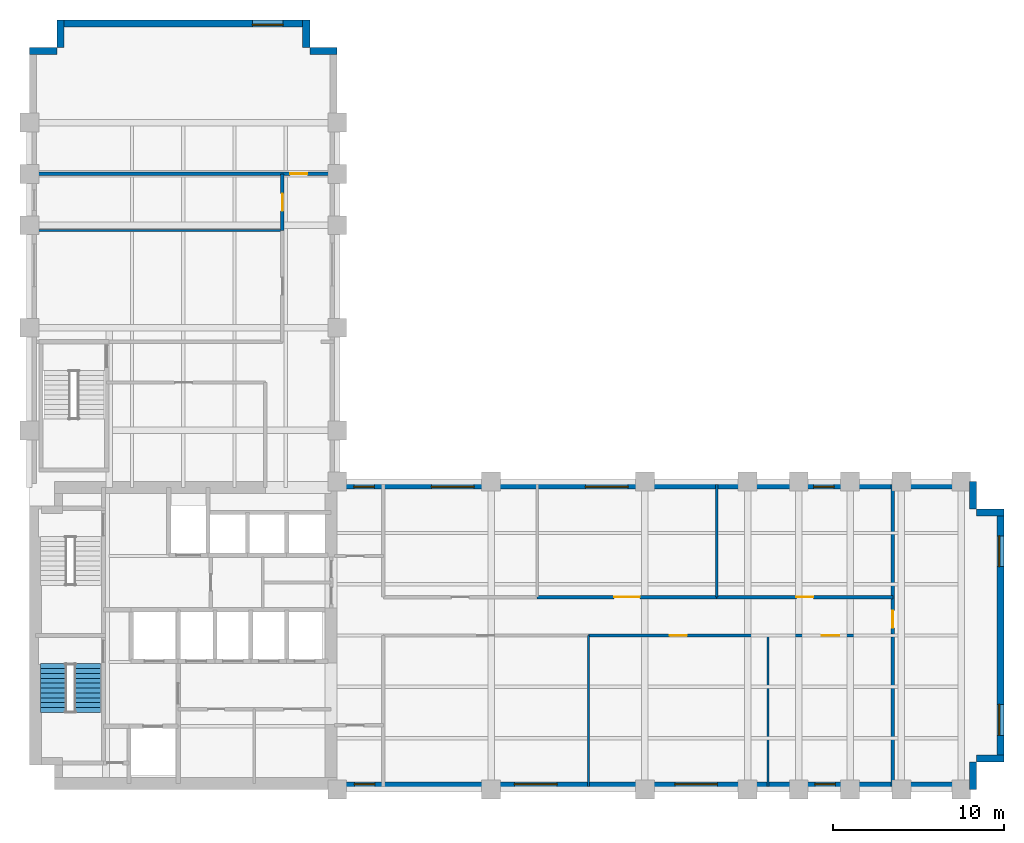
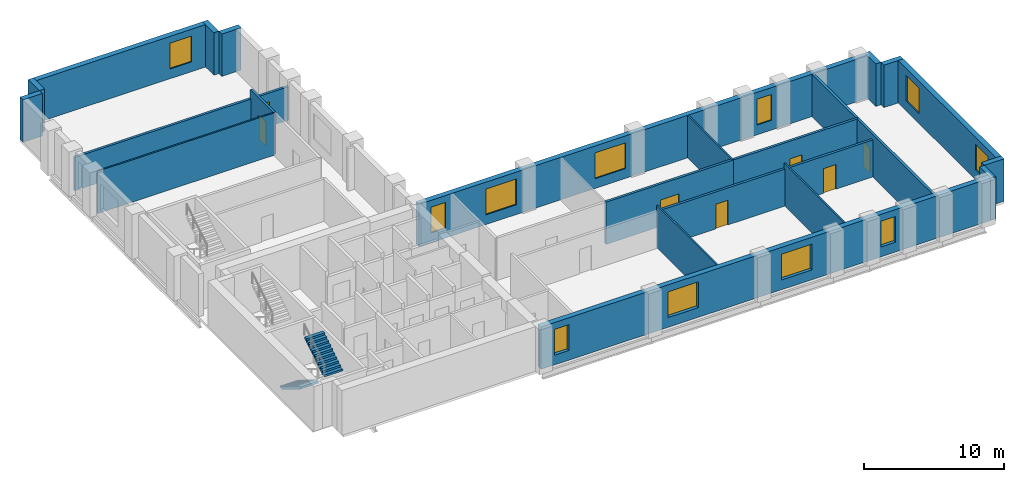
# One storey, part 5 of 7: 23 walls, 11 windows, 7 doors, 2 stair flights, 18 openings, 1 element without a shape of its own.
"""IFC4 building model written with IfcOpenShell, lengths in metres."""

from ifc_helpers import new_model, si_unit, direction, frame, frame_2d, origin, place, context, subcontext, project, spatial, polyline, rectangle, outline, extrude, material, layer, layer_set, type_object, element, fill, aggregate, save


model = new_model("IFC4")

# Units and contexts
model_context = context("Model", 3, precision=1e-05, world=origin(), true_north=direction((0.0, 1.0)))
body_context = subcontext(model_context, "Body", "Model", "MODEL_VIEW")
ifc_project = project(units=[si_unit("LENGTHUNIT", "METRE"), si_unit("AREAUNIT", "SQUARE_METRE"), si_unit("VOLUMEUNIT", "CUBIC_METRE"), si_unit("PLANEANGLEUNIT", "RADIAN"), si_unit("MASSUNIT", "GRAM", prefix="KILO")], contexts=[model_context])

# Site, building, storey
site_placement = place(None, origin())
site = spatial("IfcSite", under=ifc_project, at=site_placement, CompositionType="ELEMENT")
building_placement = place(site_placement, origin())
building = spatial("IfcBuilding", under=site, at=building_placement, Name="Mawjdan Bourse Tower", CompositionType="ELEMENT")
storey_placement = place(building_placement, frame((0.0, 0.0, 108.89990234375)))
storey = spatial("IfcBuildingStorey", under=building, at=storey_placement, Name="L25", CompositionType="ELEMENT", Elevation=108.89990234375)

# Wall, openings, windows
ifc_material_1 = material(Name="Brick Masonry Buff", Category="masonry")
ifc_layer_1 = layer(ifc_material_1, 0.419921875)
ifc_layer_set_1 = layer_set([ifc_layer_1], Name="Brick Masonry Buff")
wall_type_1 = type_object("IfcWallType", Name="WL-BRK-BUFF-420", PredefinedType="STANDARD", material=ifc_layer_set_1)
wall_1_placement = place(storey_placement, frame((23.89990234375, 3.2099609375, 0.0), z_axis=(0.0, 0.0, 1.0), x_axis=(1.0, 0.0, 0.0)))
wall_1 = element("IfcWall", 1, at=wall_1_placement, inside=storey, type_object=wall_type_1, Name="L25 Exterior Brick Wall 1", PredefinedType="STANDARD", context=body_context, shape_type="SweptSolid", body=[
    extrude(rectangle(XDim=37.5, YDim=0.419921875, at=frame_2d((18.75, 0.0))), origin(), (0.0, 0.0, 1.0), 3.7001953125),
])
opening_1_placement = place(wall_1_placement, frame((10.46875, 0.0, 0.85009765625)))
opening_1 = element("IfcOpeningElement", 2, at=opening_1_placement, cuts=wall_1, Name="Opening W-L25-01", PredefinedType="OPENING", context=body_context, shape_type="SweptSolid", body=[
    extrude(rectangle(XDim=2.5, YDim=2.25, at=frame_2d((1.25, 1.125))), frame((0.0, 0.219970703125, 0.0), z_axis=(0.0, -1.0, 0.0), x_axis=(1.0, 0.0, 0.0)), (0.0, 0.0, 1.0), 0.43994140625),
])
opening_2_placement = place(wall_1_placement, frame((19.84375, 0.0, 0.85009765625)))
opening_2 = element("IfcOpeningElement", 3, at=opening_2_placement, cuts=wall_1, Name="Opening W-L25-02", PredefinedType="OPENING", context=body_context, shape_type="SweptSolid", body=[
    extrude(rectangle(XDim=2.5, YDim=2.25, at=frame_2d((1.25, 1.125))), frame((0.0, 0.219970703125, 0.0), z_axis=(0.0, -1.0, 0.0), x_axis=(1.0, 0.0, 0.0)), (0.0, 0.0, 1.0), 0.43994140625),
])
opening_3_placement = place(wall_1_placement, frame((1.10009765625, 0.0, 0.85009765625)))
opening_3 = element("IfcOpeningElement", 4, at=opening_3_placement, cuts=wall_1, Name="Opening W-L25-08", PredefinedType="OPENING", context=body_context, shape_type="SweptSolid", body=[
    extrude(rectangle(XDim=1.199951171875, YDim=2.25, at=frame_2d((0.60009765625, 1.125))), frame((0.0, 0.219970703125, 0.0), z_axis=(0.0, -1.0, 0.0), x_axis=(1.0, 0.0, 0.0)), (0.0, 0.0, 1.0), 0.43994140625),
])
opening_4_placement = place(wall_1_placement, frame((28.0361328125, 0.0, 0.85009765625)))
opening_4 = element("IfcOpeningElement", 5, at=opening_4_placement, cuts=wall_1, Name="Opening W-L25-10", PredefinedType="OPENING", context=body_context, shape_type="SweptSolid", body=[
    extrude(rectangle(XDim=1.199951171875, YDim=2.25, at=frame_2d((0.60009765625, 1.125))), frame((0.0, 0.219970703125, 0.0), z_axis=(0.0, -1.0, 0.0), x_axis=(1.0, 0.0, 0.0)), (0.0, 0.0, 1.0), 0.43994140625),
])
ifc_material_2 = material(Name="Solar-Control Clear Double Glazing", Category="glass")
window_type_1 = type_object("IfcWindowType", Name="WN-Z2-1200", PartitioningType="SINGLE_PANEL", PredefinedType="WINDOW", material=ifc_material_2)
window_1_placement = place(opening_3_placement, origin())
window_1 = element("IfcWindow", 6, at=window_1_placement, inside=storey, type_object=window_type_1, Name="L25 Deep-Set Masonry Window W-L25-08", OverallHeight=2.25, OverallWidth=1.199951171875, PartitioningType="SINGLE_PANEL", PredefinedType="WINDOW", context=body_context, shape_type="SweptSolid", body=[
    extrude(rectangle(XDim=1.199951171875, YDim=2.25, at=frame_2d((0.60009765625, 1.125))), frame((0.0, 0.110107421875, 0.0), z_axis=(0.0, -1.0, 0.0), x_axis=(1.0, 0.0, 0.0)), (0.0, 0.0, 1.0), 0.06005859375),
])
fill(opening_3, window_1)
window_2_placement = place(opening_4_placement, origin())
window_2 = element("IfcWindow", 7, at=window_2_placement, inside=storey, type_object=window_type_1, Name="L25 Deep-Set Masonry Window W-L25-10", OverallHeight=2.25, OverallWidth=1.199951171875, PartitioningType="SINGLE_PANEL", PredefinedType="WINDOW", context=body_context, shape_type="SweptSolid", body=[
    extrude(rectangle(XDim=1.199951171875, YDim=2.25, at=frame_2d((0.60009765625, 1.125))), frame((0.0, 0.110107421875, 0.0), z_axis=(0.0, -1.0, 0.0), x_axis=(1.0, 0.0, 0.0)), (0.0, 0.0, 1.0), 0.06005859375),
])
fill(opening_4, window_2)
window_type_2 = type_object("IfcWindowType", Name="WN-Z2-2500", PartitioningType="SINGLE_PANEL", PredefinedType="WINDOW", material=ifc_material_2)
window_3_placement = place(opening_1_placement, origin())
window_3 = element("IfcWindow", 8, at=window_3_placement, inside=storey, type_object=window_type_2, Name="L25 Deep-Set Masonry Window W-L25-01", OverallHeight=2.25, OverallWidth=2.5, PartitioningType="SINGLE_PANEL", PredefinedType="WINDOW", context=body_context, shape_type="SweptSolid", body=[
    extrude(rectangle(XDim=2.5, YDim=2.25, at=frame_2d((1.25, 1.125))), frame((0.0, 0.110107421875, 0.0), z_axis=(0.0, -1.0, 0.0), x_axis=(1.0, 0.0, 0.0)), (0.0, 0.0, 1.0), 0.06005859375),
])
fill(opening_1, window_3)
window_4_placement = place(opening_2_placement, origin())
window_4 = element("IfcWindow", 9, at=window_4_placement, inside=storey, type_object=window_type_2, Name="L25 Deep-Set Masonry Window W-L25-02", OverallHeight=2.25, OverallWidth=2.5, PartitioningType="SINGLE_PANEL", PredefinedType="WINDOW", context=body_context, shape_type="SweptSolid", body=[
    extrude(rectangle(XDim=2.5, YDim=2.25, at=frame_2d((1.25, 1.125))), frame((0.0, 0.110107421875, 0.0), z_axis=(0.0, -1.0, 0.0), x_axis=(1.0, 0.0, 0.0)), (0.0, 0.0, 1.0), 0.06005859375),
])
fill(opening_2, window_4)

# Walls
for number, where, z_axis, x_axis, name in (
    (10, (61.18994140625, 3.0, 0.0), (0.0, 0.0, 1.0), (0.0, 1.0, 0.0), "L25 Exterior Brick Wall 2"),
    (11, (61.39990234375, 4.81005859375, 0.0), (0.0, 0.0, 1.0), (1.0, 0.0, 0.0), "L25 Exterior Brick Wall 3"),
):
    element("IfcWall", number, at=place(storey_placement, frame(where, z_axis=z_axis, x_axis=x_axis)), inside=storey, type_object=wall_type_1, Name=name, PredefinedType="STANDARD", context=body_context, shape_type="SweptSolid", body=[
        extrude(rectangle(XDim=1.60009765625, YDim=0.419921875, at=frame_2d((0.800048828125, 0.0))), origin(), (0.0, 0.0, 1.0), 3.7001953125),
    ])

# Wall, openings, windows
wall_2_placement = place(storey_placement, frame((62.7900390625, 4.60009765625, 0.0), z_axis=(0.0, 0.0, 1.0), x_axis=(0.0, 1.0, 0.0)))
wall_2 = element("IfcWall", 12, at=wall_2_placement, inside=storey, type_object=wall_type_1, Name="L25 Exterior Brick Wall 4", PredefinedType="STANDARD", context=body_context, shape_type="SweptSolid", body=[
    extrude(rectangle(XDim=14.7998046875, YDim=0.419921875, at=frame_2d((7.39990234375, 0.0))), origin(), (0.0, 0.0, 1.0), 3.7001953125),
])
opening_5_placement = place(wall_2_placement, frame((1.566650390625, 0.0, 0.85009765625)))
opening_5 = element("IfcOpeningElement", 13, at=opening_5_placement, cuts=wall_2, Name="Opening W-L25-03", PredefinedType="OPENING", context=body_context, shape_type="SweptSolid", body=[
    extrude(rectangle(XDim=1.800048828125, YDim=2.25, at=frame_2d((0.89990234375, 1.125))), frame((0.0, 0.219970703125, 0.0), z_axis=(0.0, -1.0, 0.0), x_axis=(1.0, 0.0, 0.0)), (0.0, 0.0, 1.0), 0.43994140625),
])
opening_6_placement = place(wall_2_placement, frame((11.433349609375, 0.0, 0.85009765625)))
opening_6 = element("IfcOpeningElement", 14, at=opening_6_placement, cuts=wall_2, Name="Opening W-L25-04", PredefinedType="OPENING", context=body_context, shape_type="SweptSolid", body=[
    extrude(rectangle(XDim=1.800048828125, YDim=2.25, at=frame_2d((0.89990234375, 1.125))), frame((0.0, 0.219970703125, 0.0), z_axis=(0.0, -1.0, 0.0), x_axis=(1.0, 0.0, 0.0)), (0.0, 0.0, 1.0), 0.43994140625),
])
window_type_3 = type_object("IfcWindowType", Name="WN-Z2-1800", PartitioningType="SINGLE_PANEL", PredefinedType="WINDOW", material=ifc_material_2)
window_5_placement = place(opening_5_placement, origin())
window_5 = element("IfcWindow", 15, at=window_5_placement, inside=storey, type_object=window_type_3, Name="L25 Deep-Set Masonry Window W-L25-03", OverallHeight=2.25, OverallWidth=1.800048828125, PartitioningType="SINGLE_PANEL", PredefinedType="WINDOW", context=body_context, shape_type="SweptSolid", body=[
    extrude(rectangle(XDim=1.800048828125, YDim=2.25, at=frame_2d((0.89990234375, 1.125))), frame((0.0, 0.110107421875, 0.0), z_axis=(0.0, -1.0, 0.0), x_axis=(1.0, 0.0, 0.0)), (0.0, 0.0, 1.0), 0.06005859375),
])
fill(opening_5, window_5)
window_6_placement = place(opening_6_placement, origin())
window_6 = element("IfcWindow", 16, at=window_6_placement, inside=storey, type_object=window_type_3, Name="L25 Deep-Set Masonry Window W-L25-04", OverallHeight=2.25, OverallWidth=1.800048828125, PartitioningType="SINGLE_PANEL", PredefinedType="WINDOW", context=body_context, shape_type="SweptSolid", body=[
    extrude(rectangle(XDim=1.800048828125, YDim=2.25, at=frame_2d((0.89990234375, 1.125))), frame((0.0, 0.110107421875, 0.0), z_axis=(0.0, -1.0, 0.0), x_axis=(1.0, 0.0, 0.0)), (0.0, 0.0, 1.0), 0.06005859375),
])
fill(opening_6, window_6)

# Walls
for number, where, z_axis, x_axis, name in (
    (17, (63.0, 19.18994140625, 0.0), (0.0, 0.0, 1.0), (-1.0, 0.0, 0.0), "L25 Exterior Brick Wall 5"),
    (18, (61.18994140625, 19.39990234375, 0.0), (0.0, 0.0, 1.0), (0.0, 1.0, 0.0), "L25 Exterior Brick Wall 6"),
):
    element("IfcWall", number, at=place(storey_placement, frame(where, z_axis=z_axis, x_axis=x_axis)), inside=storey, type_object=wall_type_1, Name=name, PredefinedType="STANDARD", context=body_context, shape_type="SweptSolid", body=[
        extrude(rectangle(XDim=1.60009765625, YDim=0.419921875, at=frame_2d((0.800048828125, 0.0))), origin(), (0.0, 0.0, 1.0), 3.7001953125),
    ])

# Wall, openings, windows
wall_3_placement = place(storey_placement, frame((61.39990234375, 20.7900390625, 0.0), z_axis=(0.0, 0.0, 1.0), x_axis=(-1.0, 0.0, 0.0)))
wall_3 = element("IfcWall", 19, at=wall_3_placement, inside=storey, type_object=wall_type_1, Name="L25 Exterior Brick Wall 7", PredefinedType="STANDARD", context=body_context, shape_type="SweptSolid", body=[
    extrude(rectangle(XDim=37.39990234375, YDim=0.419921875, at=frame_2d((18.699951171875, 0.0))), origin(), (0.0, 0.0, 1.0), 3.7001953125),
])
opening_7_placement = place(wall_3_placement, frame((35.22216796875, 0.0, 0.85009765625)))
opening_7 = element("IfcOpeningElement", 20, at=opening_7_placement, cuts=wall_3, Name="Opening W-L25-09", PredefinedType="OPENING", context=body_context, shape_type="SweptSolid", body=[
    extrude(rectangle(XDim=1.199951171875, YDim=2.25, at=frame_2d((0.60009765625, 1.125))), frame((0.0, 0.219970703125, 0.0), z_axis=(0.0, -1.0, 0.0), x_axis=(1.0, 0.0, 0.0)), (0.0, 0.0, 1.0), 0.43994140625),
])
opening_8_placement = place(wall_3_placement, frame((29.38623046875, 0.0, 0.85009765625)))
opening_8 = element("IfcOpeningElement", 21, at=opening_8_placement, cuts=wall_3, Name="Opening W-L25-11", PredefinedType="OPENING", context=body_context, shape_type="SweptSolid", body=[
    extrude(rectangle(XDim=2.5, YDim=2.25, at=frame_2d((1.25, 1.125))), frame((0.0, 0.219970703125, 0.0), z_axis=(0.0, -1.0, 0.0), x_axis=(1.0, 0.0, 0.0)), (0.0, 0.0, 1.0), 0.43994140625),
])
opening_9_placement = place(wall_3_placement, frame((20.38623046875, 0.0, 0.85009765625)))
opening_9 = element("IfcOpeningElement", 22, at=opening_9_placement, cuts=wall_3, Name="Opening W-L25-12", PredefinedType="OPENING", context=body_context, shape_type="SweptSolid", body=[
    extrude(rectangle(XDim=2.5, YDim=2.25, at=frame_2d((1.25, 1.125))), frame((0.0, 0.219970703125, 0.0), z_axis=(0.0, -1.0, 0.0), x_axis=(1.0, 0.0, 0.0)), (0.0, 0.0, 1.0), 0.43994140625),
])
opening_10_placement = place(wall_3_placement, frame((8.336181640625, 0.0, 0.85009765625)))
opening_10 = element("IfcOpeningElement", 23, at=opening_10_placement, cuts=wall_3, Name="Opening W-L25-13", PredefinedType="OPENING", context=body_context, shape_type="SweptSolid", body=[
    extrude(rectangle(XDim=1.199951171875, YDim=2.25, at=frame_2d((0.60009765625, 1.125))), frame((0.0, 0.219970703125, 0.0), z_axis=(0.0, -1.0, 0.0), x_axis=(1.0, 0.0, 0.0)), (0.0, 0.0, 1.0), 0.43994140625),
])
window_7_placement = place(opening_7_placement, origin())
window_7 = element("IfcWindow", 24, at=window_7_placement, inside=storey, type_object=window_type_1, Name="L25 Deep-Set Masonry Window W-L25-09", OverallHeight=2.25, OverallWidth=1.199951171875, PartitioningType="SINGLE_PANEL", PredefinedType="WINDOW", context=body_context, shape_type="SweptSolid", body=[
    extrude(rectangle(XDim=1.199951171875, YDim=2.25, at=frame_2d((0.60009765625, 1.125))), frame((0.0, 0.110107421875, 0.0), z_axis=(0.0, -1.0, 0.0), x_axis=(1.0, 0.0, 0.0)), (0.0, 0.0, 1.0), 0.06005859375),
])
fill(opening_7, window_7)
window_8_placement = place(opening_10_placement, origin())
window_8 = element("IfcWindow", 25, at=window_8_placement, inside=storey, type_object=window_type_1, Name="L25 Deep-Set Masonry Window W-L25-13", OverallHeight=2.25, OverallWidth=1.199951171875, PartitioningType="SINGLE_PANEL", PredefinedType="WINDOW", context=body_context, shape_type="SweptSolid", body=[
    extrude(rectangle(XDim=1.199951171875, YDim=2.25, at=frame_2d((0.60009765625, 1.125))), frame((0.0, 0.110107421875, 0.0), z_axis=(0.0, -1.0, 0.0), x_axis=(1.0, 0.0, 0.0)), (0.0, 0.0, 1.0), 0.06005859375),
])
fill(opening_10, window_8)
window_9_placement = place(opening_8_placement, origin())
window_9 = element("IfcWindow", 26, at=window_9_placement, inside=storey, type_object=window_type_2, Name="L25 Deep-Set Masonry Window W-L25-11", OverallHeight=2.25, OverallWidth=2.5, PartitioningType="SINGLE_PANEL", PredefinedType="WINDOW", context=body_context, shape_type="SweptSolid", body=[
    extrude(rectangle(XDim=2.5, YDim=2.25, at=frame_2d((1.25, 1.125))), frame((0.0, 0.110107421875, 0.0), z_axis=(0.0, -1.0, 0.0), x_axis=(1.0, 0.0, 0.0)), (0.0, 0.0, 1.0), 0.06005859375),
])
fill(opening_8, window_9)
window_10_placement = place(opening_9_placement, origin())
window_10 = element("IfcWindow", 27, at=window_10_placement, inside=storey, type_object=window_type_2, Name="L25 Deep-Set Masonry Window W-L25-12", OverallHeight=2.25, OverallWidth=2.5, PartitioningType="SINGLE_PANEL", PredefinedType="WINDOW", context=body_context, shape_type="SweptSolid", body=[
    extrude(rectangle(XDim=2.5, YDim=2.25, at=frame_2d((1.25, 1.125))), frame((0.0, 0.110107421875, 0.0), z_axis=(0.0, -1.0, 0.0), x_axis=(1.0, 0.0, 0.0)), (0.0, 0.0, 1.0), 0.06005859375),
])
fill(opening_9, window_10)

# Walls
for number, where, z_axis, x_axis, name in (
    (28, (24.0, 46.18994140625, 0.0), (0.0, 0.0, 1.0), (-1.0, 0.0, 0.0), "L25 Exterior Brick Wall 9"),
    (29, (22.18994140625, 46.39990234375, 0.0), (0.0, 0.0, 1.0), (0.0, 1.0, 0.0), "L25 Exterior Brick Wall 10"),
):
    element("IfcWall", number, at=place(storey_placement, frame(where, z_axis=z_axis, x_axis=x_axis)), inside=storey, type_object=wall_type_1, Name=name, PredefinedType="STANDARD", context=body_context, shape_type="SweptSolid", body=[
        extrude(rectangle(XDim=1.60009765625, YDim=0.419921875, at=frame_2d((0.800048828125, 0.0))), origin(), (0.0, 0.0, 1.0), 3.7001953125),
    ])

# Wall, opening, window
wall_4_placement = place(storey_placement, frame((22.39990234375, 47.7900390625, 0.0), z_axis=(0.0, 0.0, 1.0), x_axis=(-1.0, 0.0, 0.0)))
wall_4 = element("IfcWall", 30, at=wall_4_placement, inside=storey, type_object=wall_type_1, Name="L25 Exterior Brick Wall 11", PredefinedType="STANDARD", context=body_context, shape_type="SweptSolid", body=[
    extrude(rectangle(XDim=14.7998046875, YDim=0.419921875, at=frame_2d((7.39990234375, 0.0))), origin(), (0.0, 0.0, 1.0), 3.7001953125),
])
opening_11_placement = place(wall_4_placement, frame((1.566650390625, 0.0, 0.85009765625)))
opening_11 = element("IfcOpeningElement", 31, at=opening_11_placement, cuts=wall_4, Name="Opening W-L25-06", PredefinedType="OPENING", context=body_context, shape_type="SweptSolid", body=[
    extrude(rectangle(XDim=1.800048828125, YDim=2.25, at=frame_2d((0.89990234375, 1.125))), frame((0.0, 0.219970703125, 0.0), z_axis=(0.0, -1.0, 0.0), x_axis=(1.0, 0.0, 0.0)), (0.0, 0.0, 1.0), 0.43994140625),
])
window_11_placement = place(opening_11_placement, origin())
window_11 = element("IfcWindow", 32, at=window_11_placement, inside=storey, type_object=window_type_3, Name="L25 Deep-Set Masonry Window W-L25-06", OverallHeight=2.25, OverallWidth=1.800048828125, PartitioningType="SINGLE_PANEL", PredefinedType="WINDOW", context=body_context, shape_type="SweptSolid", body=[
    extrude(rectangle(XDim=1.800048828125, YDim=2.25, at=frame_2d((0.89990234375, 1.125))), frame((0.0, 0.110107421875, 0.0), z_axis=(0.0, -1.0, 0.0), x_axis=(1.0, 0.0, 0.0)), (0.0, 0.0, 1.0), 0.06005859375),
])
fill(opening_11, window_11)

# Walls
for number, where, z_axis, x_axis, name in (
    (33, (7.81005859375, 48.0, 0.0), (0.0, 0.0, 1.0), (0.0, -1.0, 0.0), "L25 Exterior Brick Wall 12"),
    (34, (7.60009765625, 46.18994140625, 0.0), (0.0, 0.0, 1.0), (-1.0, 0.0, 0.0), "L25 Exterior Brick Wall 13"),
):
    element("IfcWall", number, at=place(storey_placement, frame(where, z_axis=z_axis, x_axis=x_axis)), inside=storey, type_object=wall_type_1, Name=name, PredefinedType="STANDARD", context=body_context, shape_type="SweptSolid", body=[
        extrude(rectangle(XDim=1.60009765625, YDim=0.419921875, at=frame_2d((0.800048828125, 0.0))), origin(), (0.0, 0.0, 1.0), 3.7001953125),
    ])

# Wall, opening, door
ifc_material_3 = material(Name="Gypsum Fireboard Assembly")
ifc_layer_2 = layer(ifc_material_3, 0.199951171875)
ifc_layer_set_2 = layer_set([ifc_layer_2], Name="Gypsum Fireboard Assembly")
wall_type_2 = type_object("IfcWallType", Name="WL-CMP-200", PredefinedType="PARTITIONING", material=ifc_layer_set_2)
wall_5_placement = place(storey_placement, frame((38.699951171875, 12.0, 0.0), z_axis=(0.0, 0.0, 1.0), x_axis=(1.0, 0.0, 0.0)))
wall_5 = element("IfcWall", 35, at=wall_5_placement, inside=storey, type_object=wall_type_2, Name="L25 Corporate Finance Office Corridor Wall", PredefinedType="PARTITIONING", context=body_context, shape_type="SweptSolid", body=[
    extrude(rectangle(XDim=10.5, YDim=0.199951171875, at=frame_2d((5.25, 0.0))), origin(), (0.0, 0.0, 1.0), 3.22705078125),
])
opening_12_placement = place(wall_5_placement, frame((4.75, 0.0, 0.0)))
opening_12 = element("IfcOpeningElement", 36, at=opening_12_placement, cuts=wall_5, Name="Opening D-L25-23", PredefinedType="OPENING", context=body_context, shape_type="SweptSolid", body=[
    extrude(rectangle(XDim=1.0, YDim=2.14990234375, at=frame_2d((0.5, 1.074951171875))), frame((0.0, 0.10986328125, 0.0), z_axis=(0.0, -1.0, 0.0), x_axis=(1.0, 0.0, 0.0)), (0.0, 0.0, 1.0), 0.219970703125),
])
ifc_material_4 = material(Name="Hardwood Acoustic Leaf", Category="wood")
door_type_1 = type_object("IfcDoorType", Name="DR-OFC-1000", OperationType="NOTDEFINED", PredefinedType="DOOR", material=ifc_material_4)
door_1_placement = place(opening_12_placement, origin())
door_1 = element("IfcDoor", 37, at=door_1_placement, inside=storey, type_object=door_type_1, Name="L25 Corporate Finance Office Door D-L25-23", OperationType="SINGLE_SWING_LEFT", OverallHeight=2.14990234375, OverallWidth=1.0, PredefinedType="DOOR", context=body_context, shape_type="SweptSolid", body=[
    extrude(rectangle(XDim=1.0, YDim=2.14990234375, at=frame_2d((0.5, 1.074951171875))), frame((0.0, 0.02490234375, 0.0), z_axis=(0.0, -1.0, 0.0), x_axis=(1.0, 0.0, 0.0)), (0.0, 0.0, 1.0), 0.050048828125),
])
fill(opening_12, door_1)

wall_6_placement = place(storey_placement, frame((49.199951171875, 12.0, 0.0), z_axis=(0.0, 0.0, 1.0), x_axis=(1.0, 0.0, 0.0)))
wall_6 = element("IfcWall", 38, at=wall_6_placement, inside=storey, type_object=wall_type_2, Name="L25 Executive Office Corridor Wall", PredefinedType="PARTITIONING", context=body_context, shape_type="SweptSolid", body=[
    extrude(rectangle(XDim=7.300048828125, YDim=0.199951171875, at=frame_2d((3.64990234375, 0.0))), origin(), (0.0, 0.0, 1.0), 3.22705078125),
])
opening_13_placement = place(wall_6_placement, frame((3.14990234375, 0.0, 0.0)))
opening_13 = element("IfcOpeningElement", 39, at=opening_13_placement, cuts=wall_6, Name="Opening D-L25-24", PredefinedType="OPENING", context=body_context, shape_type="SweptSolid", body=[
    extrude(rectangle(XDim=1.0, YDim=2.14990234375, at=frame_2d((0.5, 1.074951171875))), frame((0.0, 0.10986328125, 0.0), z_axis=(0.0, -1.0, 0.0), x_axis=(1.0, 0.0, 0.0)), (0.0, 0.0, 1.0), 0.219970703125),
])
door_2_placement = place(opening_13_placement, origin())
door_2 = element("IfcDoor", 40, at=door_2_placement, inside=storey, type_object=door_type_1, Name="L25 Executive Office Door D-L25-24", OperationType="SINGLE_SWING_RIGHT", OverallHeight=2.14990234375, OverallWidth=1.0, PredefinedType="DOOR", context=body_context, shape_type="SweptSolid", body=[
    extrude(rectangle(XDim=1.0, YDim=2.14990234375, at=frame_2d((0.5, 1.074951171875))), frame((0.0, 0.02490234375, 0.0), z_axis=(0.0, -1.0, 0.0), x_axis=(1.0, 0.0, 0.0)), (0.0, 0.0, 1.0), 0.050048828125),
])
fill(opening_13, door_2)

wall_7_placement = place(storey_placement, frame((35.699951171875, 14.25, 0.0), z_axis=(0.0, 0.0, 1.0), x_axis=(1.0, 0.0, 0.0)))
wall_7 = element("IfcWall", 41, at=wall_7_placement, inside=storey, type_object=wall_type_2, Name="L25 Conference Room Corridor Wall", PredefinedType="PARTITIONING", context=body_context, shape_type="SweptSolid", body=[
    extrude(rectangle(XDim=10.5, YDim=0.199951171875, at=frame_2d((5.25, 0.0))), origin(), (0.0, 0.0, 1.0), 3.690185546875),
])
opening_14_placement = place(wall_7_placement, frame((4.5, 0.0, 0.0)))
opening_14 = element("IfcOpeningElement", 42, at=opening_14_placement, cuts=wall_7, Name="Opening D-L25-26", PredefinedType="OPENING", context=body_context, shape_type="SweptSolid", body=[
    extrude(rectangle(XDim=1.5, YDim=2.300048828125, at=frame_2d((0.75, 1.14990234375))), frame((0.0, 0.10986328125, 0.0), z_axis=(0.0, -1.0, 0.0), x_axis=(1.0, 0.0, 0.0)), (0.0, 0.0, 1.0), 0.219970703125),
])
ifc_material_5 = material(Name="Acoustic Glazed Timber", Category="wood")
door_type_2 = type_object("IfcDoorType", Name="DR-CNF-1500", OperationType="DOUBLE_DOOR_SINGLE_SWING", PredefinedType="DOOR", material=ifc_material_5)
door_3_placement = place(opening_14_placement, origin())
door_3 = element("IfcDoor", 43, at=door_3_placement, inside=storey, type_object=door_type_2, Name="L25 Conference Room Door D-L25-26", OperationType="DOUBLE_DOOR_SINGLE_SWING", OverallHeight=2.300048828125, OverallWidth=1.5, PredefinedType="DOOR", context=body_context, shape_type="SweptSolid", body=[
    extrude(rectangle(XDim=1.5, YDim=2.300048828125, at=frame_2d((0.75, 1.14990234375))), frame((0.0, 0.02490234375, 0.0), z_axis=(0.0, -1.0, 0.0), x_axis=(1.0, 0.0, 0.0)), (0.0, 0.0, 1.0), 0.050048828125),
])
fill(opening_14, door_3)

wall_8_placement = place(storey_placement, frame((46.199951171875, 14.25, 0.0), z_axis=(0.0, 0.0, 1.0), x_axis=(1.0, 0.0, 0.0)))
wall_8 = element("IfcWall", 44, at=wall_8_placement, inside=storey, type_object=wall_type_2, Name="L25 Legal Archive Library Corridor Wall", PredefinedType="PARTITIONING", context=body_context, shape_type="SweptSolid", body=[
    extrude(rectangle(XDim=10.300048828125, YDim=0.199951171875, at=frame_2d((5.14990234375, 0.0))), origin(), (0.0, 0.0, 1.0), 3.690185546875),
])
opening_15_placement = place(wall_8_placement, frame((4.64990234375, 0.0, 0.0)))
opening_15 = element("IfcOpeningElement", 45, at=opening_15_placement, cuts=wall_8, Name="Opening D-L25-27", PredefinedType="OPENING", context=body_context, shape_type="SweptSolid", body=[
    extrude(rectangle(XDim=1.0, YDim=2.14990234375, at=frame_2d((0.5, 1.074951171875))), frame((0.0, 0.10986328125, 0.0), z_axis=(0.0, -1.0, 0.0), x_axis=(1.0, 0.0, 0.0)), (0.0, 0.0, 1.0), 0.219970703125),
])
door_4_placement = place(opening_15_placement, origin())
door_4 = element("IfcDoor", 46, at=door_4_placement, inside=storey, type_object=door_type_1, Name="L25 Legal Archive Library Door D-L25-27", OperationType="SINGLE_SWING_RIGHT", OverallHeight=2.14990234375, OverallWidth=1.0, PredefinedType="DOOR", context=body_context, shape_type="SweptSolid", body=[
    extrude(rectangle(XDim=1.0, YDim=2.14990234375, at=frame_2d((0.5, 1.074951171875))), frame((0.0, 0.02490234375, 0.0), z_axis=(0.0, -1.0, 0.0), x_axis=(1.0, 0.0, 0.0)), (0.0, 0.0, 1.0), 0.050048828125),
])
fill(opening_15, door_4)

wall_9_placement = place(storey_placement, frame((56.5, 3.179931640625, 0.0), z_axis=(0.0, 0.0, 1.0), x_axis=(0.0, 1.0, 0.0)))
wall_9 = element("IfcWall", 47, at=wall_9_placement, inside=storey, type_object=wall_type_2, Name="L25 East Tip Full Cross Wall", PredefinedType="PARTITIONING", context=body_context, shape_type="SweptSolid", body=[
    extrude(rectangle(XDim=17.64013671875, YDim=0.199951171875, at=frame_2d((8.820068359375, 0.0))), origin(), (0.0, 0.0, 1.0), 3.690185546875),
])
opening_16_placement = place(wall_9_placement, frame((9.27490234375, 0.0, 0.0)))
opening_16 = element("IfcOpeningElement", 48, at=opening_16_placement, cuts=wall_9, Name="Opening D-L25-28", PredefinedType="OPENING", context=body_context, shape_type="SweptSolid", body=[
    extrude(rectangle(XDim=1.0, YDim=2.14990234375, at=frame_2d((0.5, 1.074951171875))), frame((0.0, 0.10986328125, 0.0), z_axis=(0.0, -1.0, 0.0), x_axis=(1.0, 0.0, 0.0)), (0.0, 0.0, 1.0), 0.219970703125),
])
door_5_placement = place(opening_16_placement, origin())
door_5 = element("IfcDoor", 49, at=door_5_placement, inside=storey, type_object=door_type_1, Name="L25 East Tip Hall Door D-L25-28", OperationType="SINGLE_SWING_LEFT", OverallHeight=2.14990234375, OverallWidth=1.0, PredefinedType="DOOR", context=body_context, shape_type="SweptSolid", body=[
    extrude(rectangle(XDim=1.0, YDim=2.14990234375, at=frame_2d((0.5, 1.074951171875))), frame((0.0, 0.02490234375, 0.0), z_axis=(0.0, -1.0, 0.0), x_axis=(1.0, 0.0, 0.0)), (0.0, 0.0, 1.0), 0.050048828125),
])
fill(opening_16, door_5)

wall_10_placement = place(storey_placement, frame((20.800048828125, 35.679931640625, 0.0), z_axis=(0.0, 0.0, 1.0), x_axis=(0.0, 1.0, 0.0)))
wall_10 = element("IfcWall", 50, at=wall_10_placement, inside=storey, type_object=wall_type_2, Name="L25 Executive Office Corridor Wall", PredefinedType="PARTITIONING", context=body_context, shape_type="SweptSolid", body=[
    extrude(rectangle(XDim=3.320068359375, YDim=0.199951171875, at=frame_2d((1.66015625, 0.0))), origin(), (0.0, 0.0, 1.0), 3.690185546875),
])
opening_17_placement = place(wall_10_placement, frame((1.159912109375, 0.0, 0.0)))
opening_17 = element("IfcOpeningElement", 51, at=opening_17_placement, cuts=wall_10, Name="Opening D-L25-31", PredefinedType="OPENING", context=body_context, shape_type="SweptSolid", body=[
    extrude(rectangle(XDim=1.0, YDim=2.14990234375, at=frame_2d((0.5, 1.074951171875))), frame((0.0, 0.10986328125, 0.0), z_axis=(0.0, -1.0, 0.0), x_axis=(1.0, 0.0, 0.0)), (0.0, 0.0, 1.0), 0.219970703125),
])
door_6_placement = place(opening_17_placement, origin())
door_6 = element("IfcDoor", 52, at=door_6_placement, inside=storey, type_object=door_type_1, Name="L25 Executive Office Door D-L25-31", OperationType="SINGLE_SWING_RIGHT", OverallHeight=2.14990234375, OverallWidth=1.0, PredefinedType="DOOR", context=body_context, shape_type="SweptSolid", body=[
    extrude(rectangle(XDim=1.0, YDim=2.14990234375, at=frame_2d((0.5, 1.074951171875))), frame((0.0, 0.02490234375, 0.0), z_axis=(0.0, -1.0, 0.0), x_axis=(1.0, 0.0, 0.0)), (0.0, 0.0, 1.0), 0.050048828125),
])
fill(opening_17, door_6)

wall_11_placement = place(storey_placement, frame((6.179931640625, 39.0, 0.0), z_axis=(0.0, 0.0, 1.0), x_axis=(1.0, 0.0, 0.0)))
wall_11 = element("IfcWall", 53, at=wall_11_placement, inside=storey, type_object=wall_type_2, Name="L25 North Tip Full Cross Wall", PredefinedType="PARTITIONING", context=body_context, shape_type="SweptSolid", body=[
    extrude(rectangle(XDim=17.64013671875, YDim=0.199951171875, at=frame_2d((8.820068359375, 0.0))), origin(), (0.0, 0.0, 1.0), 2.9169921875),
])
opening_18_placement = place(wall_11_placement, frame((15.074951171875, 0.0, 0.0)))
opening_18 = element("IfcOpeningElement", 54, at=opening_18_placement, cuts=wall_11, Name="Opening D-L25-32", PredefinedType="OPENING", context=body_context, shape_type="SweptSolid", body=[
    extrude(rectangle(XDim=1.0, YDim=2.14990234375, at=frame_2d((0.5, 1.074951171875))), frame((0.0, 0.10986328125, 0.0), z_axis=(0.0, -1.0, 0.0), x_axis=(1.0, 0.0, 0.0)), (0.0, 0.0, 1.0), 0.219970703125),
])
door_7_placement = place(opening_18_placement, origin())
door_7 = element("IfcDoor", 55, at=door_7_placement, inside=storey, type_object=door_type_1, Name="L25 North Tip Suite Door D-L25-32", OperationType="SINGLE_SWING_LEFT", OverallHeight=2.14990234375, OverallWidth=1.0, PredefinedType="DOOR", context=body_context, shape_type="SweptSolid", body=[
    extrude(rectangle(XDim=1.0, YDim=2.14990234375, at=frame_2d((0.5, 1.074951171875))), frame((0.0, 0.02490234375, 0.0), z_axis=(0.0, -1.0, 0.0), x_axis=(1.0, 0.0, 0.0)), (0.0, 0.0, 1.0), 0.050048828125),
])
fill(opening_18, door_7)

# Walls
ifc_material_6 = material(Name="Gypsum Partition")
ifc_layer_3 = layer(ifc_material_6, 0.125)
ifc_layer_set_3 = layer_set([ifc_layer_3], Name="Gypsum Partition")
wall_type_3 = type_object("IfcWallType", Name="WL-PRT-125", PredefinedType="PARTITIONING", material=ifc_layer_set_3)
for number, where, z_axis, x_axis, name in (
    (56, (38.699951171875, 3.179931640625, 0.0), (0.0, 0.0, 1.0), (0.0, 1.0, 0.0), "L25 Corporate Finance Office Partition"),
    (57, (49.199951171875, 3.179931640625, 0.0), (0.0, 0.0, 1.0), (0.0, 1.0, 0.0), "L25 Executive Office Partition"),
):
    element("IfcWall", number, at=place(storey_placement, frame(where, z_axis=z_axis, x_axis=x_axis)), inside=storey, type_object=wall_type_3, Name=name, PredefinedType="PARTITIONING", context=body_context, shape_type="SweptSolid", body=[
        extrude(rectangle(XDim=8.820068359375, YDim=0.125, at=frame_2d((4.41015625, 0.0))), origin(), (0.0, 0.0, 1.0), 3.690185546875),
    ])
wall_12_placement = place(storey_placement, frame((46.199951171875, 14.25, 0.0), z_axis=(0.0, 0.0, 1.0), x_axis=(0.0, 1.0, 0.0)))
element("IfcWall", 58, at=wall_12_placement, inside=storey, type_object=wall_type_3, Name="L25 Legal Archive Library Partition", PredefinedType="PARTITIONING", context=body_context, shape_type="SweptSolid", body=[
    extrude(rectangle(XDim=6.570068359375, YDim=0.125, at=frame_2d((3.28515625, 0.0))), origin(), (0.0, 0.0, 1.0), 3.690185546875),
])
wall_13_placement = place(storey_placement, frame((6.179931640625, 35.679931640625, 0.0), z_axis=(0.0, 0.0, 1.0), x_axis=(1.0, 0.0, 0.0)))
element("IfcWall", 59, at=wall_13_placement, inside=storey, type_object=wall_type_3, Name="L25 Executive Office Partition", PredefinedType="PARTITIONING", context=body_context, shape_type="SweptSolid", body=[
    extrude(rectangle(XDim=14.6201171875, YDim=0.125, at=frame_2d((7.31005859375, 0.0))), origin(), (0.0, 0.0, 1.0), 3.690185546875),
])

# Stair, stair flights
ifc_material_7 = material(Name="Concrete C50/60", Category="concrete")
stair_type = type_object("IfcStairType", Name="STR-CORE-1500", PredefinedType="HALF_TURN_STAIR", material=ifc_material_7)
stair_placement = place(storey_placement, origin())
stair = element("IfcStair", 60, at=stair_placement, inside=storey, type_object=stair_type, Name="L25 Exit Stair 1 (Core South-West)", PredefinedType="HALF_TURN_STAIR")
stair_flight_type = type_object("IfcStairFlightType", Name="SFL-RC-1500", PredefinedType="STRAIGHT", material=ifc_material_7)
stair_flight_1_placement = place(storey_placement, frame((7.389892578125, 10.35009765625, 0.0), z_axis=(0.0, 0.0, 1.0), x_axis=(0.0, -1.0, 0.0)))
stair_flight_1 = element("IfcStairFlight", 61, at=stair_flight_1_placement, type_object=stair_flight_type, Name="ST1-L25 flight 1", NumberOfRisers=11, NumberOfTreads=10, PredefinedType="STRAIGHT", RiserHeight=0.177273, TreadLength=0.285, context=body_context, shape_type="SweptSolid", body=[
    extrude(outline(polyline([(0.0, 0.0), (0.0, 0.17724609375), (0.284912109375, 0.17724609375), (0.284912109375, 0.3544921875), (0.570068359375, 0.3544921875), (0.570068359375, 0.53173828125), (0.85498046875, 0.53173828125), (0.85498046875, 0.708984375), (1.139892578125, 0.708984375), (1.139892578125, 0.886474609375), (1.425048828125, 0.886474609375), (1.425048828125, 1.063720703125), (1.7099609375, 1.063720703125), (1.7099609375, 1.240966796875), (1.9951171875, 1.240966796875), (1.9951171875, 1.418212890625), (2.280029296875, 1.418212890625), (2.280029296875, 1.595458984375), (2.56494140625, 1.595458984375), (2.56494140625, 1.772705078125), (2.85009765625, 1.772705078125), (2.85009765625, 1.949951171875), (2.85009765625, 1.58447265625), (0.302734375, 0.0), (0.0, 0.0)])), frame((0.0, 0.75, 0.0), z_axis=(0.0, -1.0, 0.0), x_axis=(1.0, 0.0, 0.0)), (0.0, 0.0, 1.0), 1.5),
])
stair_flight_2_placement = place(storey_placement, frame((9.409912109375, 7.5, 1.9501953125), z_axis=(0.0, 0.0, 1.0), x_axis=(0.0, 1.0, 0.0)))
stair_flight_2 = element("IfcStairFlight", 62, at=stair_flight_2_placement, type_object=stair_flight_type, Name="ST1-L25 flight 2", NumberOfRisers=11, NumberOfTreads=10, PredefinedType="STRAIGHT", RiserHeight=0.177273, TreadLength=0.285, context=body_context, shape_type="SweptSolid", body=[
    extrude(outline(polyline([(0.0, 0.0), (0.0, 0.17724609375), (0.284912109375, 0.17724609375), (0.284912109375, 0.3544921875), (0.570068359375, 0.3544921875), (0.570068359375, 0.53173828125), (0.85498046875, 0.53173828125), (0.85498046875, 0.708984375), (1.139892578125, 0.708984375), (1.139892578125, 0.886474609375), (1.425048828125, 0.886474609375), (1.425048828125, 1.063720703125), (1.7099609375, 1.063720703125), (1.7099609375, 1.240966796875), (1.9951171875, 1.240966796875), (1.9951171875, 1.418212890625), (2.280029296875, 1.418212890625), (2.280029296875, 1.595458984375), (2.56494140625, 1.595458984375), (2.56494140625, 1.772705078125), (2.85009765625, 1.772705078125), (2.85009765625, 1.949951171875), (2.85009765625, 1.58447265625), (0.302734375, 0.0), (0.0, 0.0)])), frame((0.0, 0.75, 0.0), z_axis=(0.0, -1.0, 0.0), x_axis=(1.0, 0.0, 0.0)), (0.0, 0.0, 1.0), 1.5),
])
aggregate(stair, [stair_flight_1, stair_flight_2])

save(model, "model.ifc")
